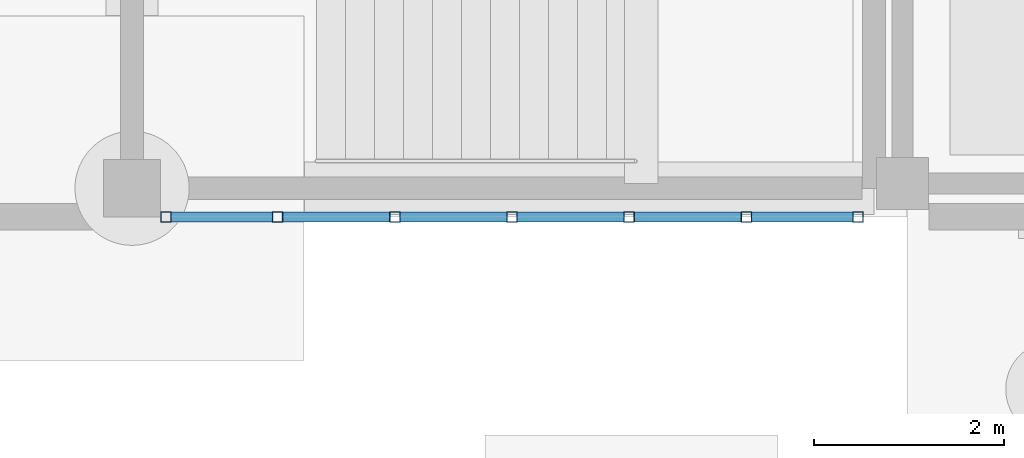
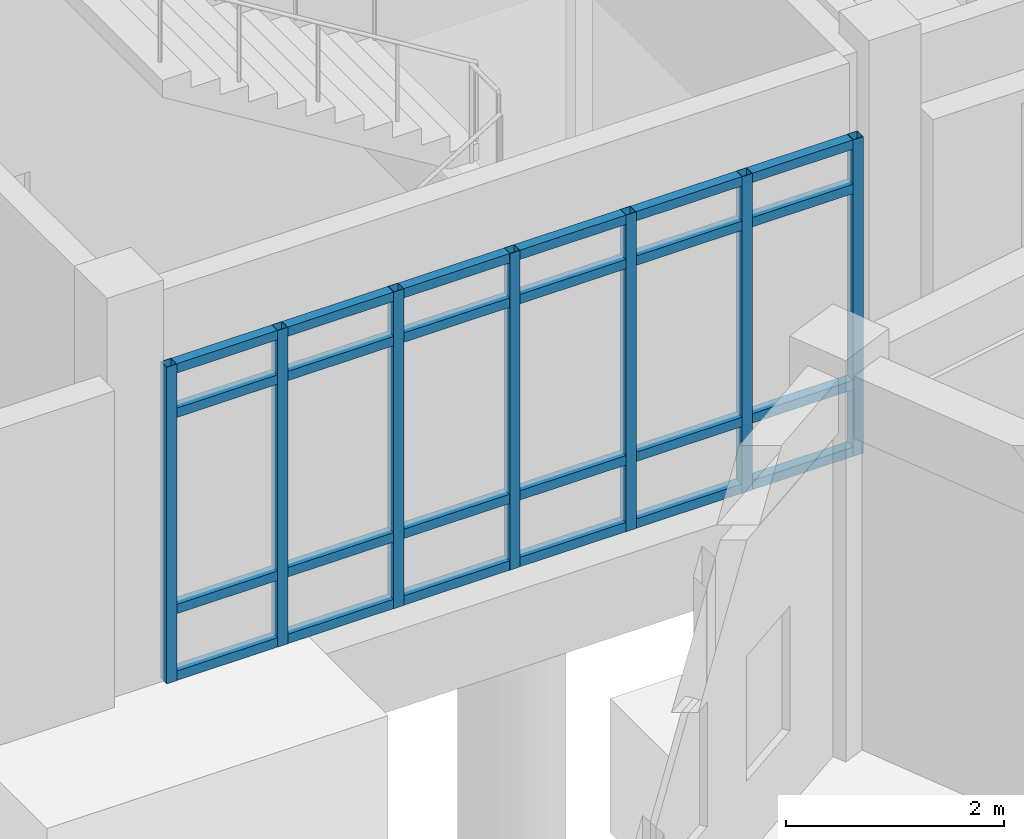
# One storey, part 27 of 153: 31 members, 1 element without a shape of its own.
"""IFC4 building model written with IfcOpenShell, lengths in metres."""

from ifc_helpers import new_model, si_unit, direction, frame, origin, origin_2d, place, context, subcontext, project, spatial, hollow_rectangle, extrude, material, material_profile, profile_set, type_object, element, aggregate, save


model = new_model("IFC4")

# Units and contexts
model_context = context("Model", 3, precision=1e-05, world=origin(), true_north=direction((0.0, 1.0)))
body_context = subcontext(model_context, "Body", "Model", "MODEL_VIEW")
ifc_project = project(units=[si_unit("LENGTHUNIT", "METRE"), si_unit("AREAUNIT", "SQUARE_METRE"), si_unit("VOLUMEUNIT", "CUBIC_METRE"), si_unit("PLANEANGLEUNIT", "RADIAN"), si_unit("MASSUNIT", "GRAM", prefix="KILO")], contexts=[model_context])

# Site, building, storey
site_placement = place(None, origin())
site = spatial("IfcSite", under=ifc_project, at=site_placement, CompositionType="ELEMENT")
building_placement = place(site_placement, origin())
building = spatial("IfcBuilding", under=site, at=building_placement, Name="Celadon Cloister-Ring School", CompositionType="ELEMENT")
storey_placement = place(building_placement, origin())
storey = spatial("IfcBuildingStorey", under=building, at=storey_placement, Name="L00", CompositionType="ELEMENT", Elevation=0.0)

# Curtain wall, members
ifc_material_1 = material(Name="Aluminium EN AW-6063 T6", Category="aluminium")
curtain_wall_type = type_object("IfcCurtainWallType", Name="CW-13", PredefinedType="USERDEFINED", material=ifc_material_1)
curtain_wall_placement = place(storey_placement, origin())
curtain_wall = element("IfcCurtainWall", 1, at=curtain_wall_placement, inside=storey, type_object=curtain_wall_type, Name="Curtain Wall 0194", ObjectType="CURTAIN WALL", PredefinedType="USERDEFINED")
ifc_material_2 = material(Name="Aluminium EN AW-6063 T6", Category="aluminium")
ifc_material_profile_1 = material_profile(ifc_material_2, hollow_rectangle(XDim=0.110107421875, YDim=0.110107421875, WallThickness=0.0048828125, at=origin_2d()), Name="RHS110X110X5")
ifc_profile_set_1 = profile_set([ifc_material_profile_1], Name="Aluminium EN AW-6063 T6")
member_type_1 = type_object("IfcMemberType", Name="CM-01", PredefinedType="MULLION", material=ifc_profile_set_1)
member_1_placement = place(storey_placement, frame((15.885009765625, 40.0, 0.0), z_axis=(0.0, 0.0, 1.0), x_axis=(0.0, -1.0, 0.0)))
member_1 = element("IfcMember", 2, at=member_1_placement, type_object=member_type_1, Name="CW-13 mullion 1", PredefinedType="MULLION", context=body_context, shape_type="SweptSolid", body=[
    extrude(hollow_rectangle(XDim=0.110107421875, YDim=0.110107421875, WallThickness=0.0048828125, at=origin_2d()), origin(), (0.0, 0.0, 1.0), 3.550048828125),
])
member_2_placement = place(storey_placement, frame((14.708251953125, 40.0, 0.0), z_axis=(0.0, 0.0, 1.0), x_axis=(0.0, -1.0, 0.0)))
member_2 = element("IfcMember", 3, at=member_2_placement, type_object=member_type_1, Name="CW-13 mullion 2", PredefinedType="MULLION", context=body_context, shape_type="SweptSolid", body=[
    extrude(hollow_rectangle(XDim=0.110107421875, YDim=0.110107421875, WallThickness=0.0048828125, at=origin_2d()), origin(), (0.0, 0.0, 1.0), 3.550048828125),
])
member_3_placement = place(storey_placement, frame((13.4765625, 40.0, 0.0), z_axis=(0.0, 0.0, 1.0), x_axis=(0.0, -1.0, 0.0)))
member_3 = element("IfcMember", 4, at=member_3_placement, type_object=member_type_1, Name="CW-13 mullion 3", PredefinedType="MULLION", context=body_context, shape_type="SweptSolid", body=[
    extrude(hollow_rectangle(XDim=0.110107421875, YDim=0.110107421875, WallThickness=0.0048828125, at=origin_2d()), origin(), (0.0, 0.0, 1.0), 3.550048828125),
])
member_4_placement = place(storey_placement, frame((12.2451171875, 40.0, 0.0), z_axis=(0.0, 0.0, 1.0), x_axis=(0.0, -1.0, 0.0)))
member_4 = element("IfcMember", 5, at=member_4_placement, type_object=member_type_1, Name="CW-13 mullion 4", PredefinedType="MULLION", context=body_context, shape_type="SweptSolid", body=[
    extrude(hollow_rectangle(XDim=0.110107421875, YDim=0.110107421875, WallThickness=0.0048828125, at=origin_2d()), origin(), (0.0, 0.0, 1.0), 3.550048828125),
])
member_5_placement = place(storey_placement, frame((11.013427734375, 40.0, 0.0), z_axis=(0.0, 0.0, 1.0), x_axis=(0.0, -1.0, 0.0)))
member_5 = element("IfcMember", 6, at=member_5_placement, type_object=member_type_1, Name="CW-13 mullion 5", PredefinedType="MULLION", context=body_context, shape_type="SweptSolid", body=[
    extrude(hollow_rectangle(XDim=0.110107421875, YDim=0.110107421875, WallThickness=0.0048828125, at=origin_2d()), origin(), (0.0, 0.0, 1.0), 3.550048828125),
])
member_6_placement = place(storey_placement, frame((9.78173828125, 40.0, 0.0), z_axis=(0.0, 0.0, 1.0), x_axis=(0.0, -1.0, 0.0)))
member_6 = element("IfcMember", 7, at=member_6_placement, type_object=member_type_1, Name="CW-13 mullion 6", PredefinedType="MULLION", context=body_context, shape_type="SweptSolid", body=[
    extrude(hollow_rectangle(XDim=0.110107421875, YDim=0.110107421875, WallThickness=0.0048828125, at=origin_2d()), origin(), (0.0, 0.0, 1.0), 3.550048828125),
])
member_7_placement = place(storey_placement, frame((8.60498046875, 40.0, 0.0), z_axis=(0.0, 0.0, 1.0), x_axis=(0.0, -1.0, 0.0)))
member_7 = element("IfcMember", 8, at=member_7_placement, type_object=member_type_1, Name="CW-13 mullion 7", PredefinedType="MULLION", context=body_context, shape_type="SweptSolid", body=[
    extrude(hollow_rectangle(XDim=0.110107421875, YDim=0.110107421875, WallThickness=0.0048828125, at=origin_2d()), origin(), (0.0, 0.0, 1.0), 3.550048828125),
])
ifc_material_3 = material(Name="Aluminium EN AW-6063 T6", Category="aluminium")
ifc_material_profile_2 = material_profile(ifc_material_3, hollow_rectangle(XDim=0.10498046875, YDim=0.10498046875, WallThickness=0.0048828125, at=origin_2d()), Name="RHS105X105X5")
ifc_profile_set_2 = profile_set([ifc_material_profile_2], Name="Aluminium EN AW-6063 T6")
member_type_2 = type_object("IfcMemberType", Name="CTM-01", PredefinedType="USERDEFINED", material=ifc_profile_set_2)
member_8_placement = place(storey_placement, frame((15.830078125, 40.0, 0.052490234375), z_axis=(-1.0, 0.0, 0.0), x_axis=(0.0, -1.0, 0.0)))
member_8 = element("IfcMember", 9, at=member_8_placement, type_object=member_type_2, Name="CW-13 transom 1.1", ObjectType="TRANSOM", PredefinedType="USERDEFINED", context=body_context, shape_type="SweptSolid", body=[
    extrude(hollow_rectangle(XDim=0.10498046875, YDim=0.10498046875, WallThickness=0.0048828125, at=origin_2d()), origin(), (0.0, 0.0, 1.0), 1.066650390625),
])
member_9_placement = place(storey_placement, frame((15.830078125, 40.0, 0.800048828125), z_axis=(-1.0, 0.0, 0.0), x_axis=(0.0, -1.0, 0.0)))
member_9 = element("IfcMember", 10, at=member_9_placement, type_object=member_type_2, Name="CW-13 transom 1.2", ObjectType="TRANSOM", PredefinedType="USERDEFINED", context=body_context, shape_type="SweptSolid", body=[
    extrude(hollow_rectangle(XDim=0.10498046875, YDim=0.10498046875, WallThickness=0.0048828125, at=origin_2d()), origin(), (0.0, 0.0, 1.0), 1.066650390625),
])
member_10_placement = place(storey_placement, frame((15.830078125, 40.0, 3.0), z_axis=(-1.0, 0.0, 0.0), x_axis=(0.0, -1.0, 0.0)))
member_10 = element("IfcMember", 11, at=member_10_placement, type_object=member_type_2, Name="CW-13 transom 1.3", ObjectType="TRANSOM", PredefinedType="USERDEFINED", context=body_context, shape_type="SweptSolid", body=[
    extrude(hollow_rectangle(XDim=0.10498046875, YDim=0.10498046875, WallThickness=0.0048828125, at=origin_2d()), origin(), (0.0, 0.0, 1.0), 1.066650390625),
])
member_11_placement = place(storey_placement, frame((15.830078125, 40.0, 3.49755859375), z_axis=(-1.0, 0.0, 0.0), x_axis=(0.0, -1.0, 0.0)))
member_11 = element("IfcMember", 12, at=member_11_placement, type_object=member_type_2, Name="CW-13 transom 1.4", ObjectType="TRANSOM", PredefinedType="USERDEFINED", context=body_context, shape_type="SweptSolid", body=[
    extrude(hollow_rectangle(XDim=0.10498046875, YDim=0.10498046875, WallThickness=0.0048828125, at=origin_2d()), origin(), (0.0, 0.0, 1.0), 1.066650390625),
])
member_12_placement = place(storey_placement, frame((14.6533203125, 40.0, 0.052490234375), z_axis=(-1.0, 0.0, 0.0), x_axis=(0.0, -1.0, 0.0)))
member_12 = element("IfcMember", 13, at=member_12_placement, type_object=member_type_2, Name="CW-13 transom 2.1", ObjectType="TRANSOM", PredefinedType="USERDEFINED", context=body_context, shape_type="SweptSolid", body=[
    extrude(hollow_rectangle(XDim=0.10498046875, YDim=0.10498046875, WallThickness=0.0048828125, at=origin_2d()), origin(), (0.0, 0.0, 1.0), 1.12158203125),
])
member_13_placement = place(storey_placement, frame((14.6533203125, 40.0, 0.800048828125), z_axis=(-1.0, 0.0, 0.0), x_axis=(0.0, -1.0, 0.0)))
member_13 = element("IfcMember", 14, at=member_13_placement, type_object=member_type_2, Name="CW-13 transom 2.2", ObjectType="TRANSOM", PredefinedType="USERDEFINED", context=body_context, shape_type="SweptSolid", body=[
    extrude(hollow_rectangle(XDim=0.10498046875, YDim=0.10498046875, WallThickness=0.0048828125, at=origin_2d()), origin(), (0.0, 0.0, 1.0), 1.12158203125),
])
member_14_placement = place(storey_placement, frame((14.6533203125, 40.0, 3.0), z_axis=(-1.0, 0.0, 0.0), x_axis=(0.0, -1.0, 0.0)))
member_14 = element("IfcMember", 15, at=member_14_placement, type_object=member_type_2, Name="CW-13 transom 2.3", ObjectType="TRANSOM", PredefinedType="USERDEFINED", context=body_context, shape_type="SweptSolid", body=[
    extrude(hollow_rectangle(XDim=0.10498046875, YDim=0.10498046875, WallThickness=0.0048828125, at=origin_2d()), origin(), (0.0, 0.0, 1.0), 1.12158203125),
])
member_15_placement = place(storey_placement, frame((14.6533203125, 40.0, 3.49755859375), z_axis=(-1.0, 0.0, 0.0), x_axis=(0.0, -1.0, 0.0)))
member_15 = element("IfcMember", 16, at=member_15_placement, type_object=member_type_2, Name="CW-13 transom 2.4", ObjectType="TRANSOM", PredefinedType="USERDEFINED", context=body_context, shape_type="SweptSolid", body=[
    extrude(hollow_rectangle(XDim=0.10498046875, YDim=0.10498046875, WallThickness=0.0048828125, at=origin_2d()), origin(), (0.0, 0.0, 1.0), 1.12158203125),
])
member_16_placement = place(storey_placement, frame((13.421630859375, 40.0, 0.052490234375), z_axis=(-1.0, 0.0, 0.0), x_axis=(0.0, -1.0, 0.0)))
member_16 = element("IfcMember", 17, at=member_16_placement, type_object=member_type_2, Name="CW-13 transom 3.1", ObjectType="TRANSOM", PredefinedType="USERDEFINED", context=body_context, shape_type="SweptSolid", body=[
    extrude(hollow_rectangle(XDim=0.10498046875, YDim=0.10498046875, WallThickness=0.0048828125, at=origin_2d()), origin(), (0.0, 0.0, 1.0), 1.12158203125),
])
member_17_placement = place(storey_placement, frame((13.421630859375, 40.0, 0.800048828125), z_axis=(-1.0, 0.0, 0.0), x_axis=(0.0, -1.0, 0.0)))
member_17 = element("IfcMember", 18, at=member_17_placement, type_object=member_type_2, Name="CW-13 transom 3.2", ObjectType="TRANSOM", PredefinedType="USERDEFINED", context=body_context, shape_type="SweptSolid", body=[
    extrude(hollow_rectangle(XDim=0.10498046875, YDim=0.10498046875, WallThickness=0.0048828125, at=origin_2d()), origin(), (0.0, 0.0, 1.0), 1.12158203125),
])
member_18_placement = place(storey_placement, frame((13.421630859375, 40.0, 3.0), z_axis=(-1.0, 0.0, 0.0), x_axis=(0.0, -1.0, 0.0)))
member_18 = element("IfcMember", 19, at=member_18_placement, type_object=member_type_2, Name="CW-13 transom 3.3", ObjectType="TRANSOM", PredefinedType="USERDEFINED", context=body_context, shape_type="SweptSolid", body=[
    extrude(hollow_rectangle(XDim=0.10498046875, YDim=0.10498046875, WallThickness=0.0048828125, at=origin_2d()), origin(), (0.0, 0.0, 1.0), 1.12158203125),
])
member_19_placement = place(storey_placement, frame((13.421630859375, 40.0, 3.49755859375), z_axis=(-1.0, 0.0, 0.0), x_axis=(0.0, -1.0, 0.0)))
member_19 = element("IfcMember", 20, at=member_19_placement, type_object=member_type_2, Name="CW-13 transom 3.4", ObjectType="TRANSOM", PredefinedType="USERDEFINED", context=body_context, shape_type="SweptSolid", body=[
    extrude(hollow_rectangle(XDim=0.10498046875, YDim=0.10498046875, WallThickness=0.0048828125, at=origin_2d()), origin(), (0.0, 0.0, 1.0), 1.12158203125),
])
member_20_placement = place(storey_placement, frame((12.18994140625, 40.0, 0.052490234375), z_axis=(-1.0, 0.0, 0.0), x_axis=(0.0, -1.0, 0.0)))
member_20 = element("IfcMember", 21, at=member_20_placement, type_object=member_type_2, Name="CW-13 transom 4.1", ObjectType="TRANSOM", PredefinedType="USERDEFINED", context=body_context, shape_type="SweptSolid", body=[
    extrude(hollow_rectangle(XDim=0.10498046875, YDim=0.10498046875, WallThickness=0.0048828125, at=origin_2d()), origin(), (0.0, 0.0, 1.0), 1.12158203125),
])
member_21_placement = place(storey_placement, frame((12.18994140625, 40.0, 0.800048828125), z_axis=(-1.0, 0.0, 0.0), x_axis=(0.0, -1.0, 0.0)))
member_21 = element("IfcMember", 22, at=member_21_placement, type_object=member_type_2, Name="CW-13 transom 4.2", ObjectType="TRANSOM", PredefinedType="USERDEFINED", context=body_context, shape_type="SweptSolid", body=[
    extrude(hollow_rectangle(XDim=0.10498046875, YDim=0.10498046875, WallThickness=0.0048828125, at=origin_2d()), origin(), (0.0, 0.0, 1.0), 1.12158203125),
])
member_22_placement = place(storey_placement, frame((12.18994140625, 40.0, 3.0), z_axis=(-1.0, 0.0, 0.0), x_axis=(0.0, -1.0, 0.0)))
member_22 = element("IfcMember", 23, at=member_22_placement, type_object=member_type_2, Name="CW-13 transom 4.3", ObjectType="TRANSOM", PredefinedType="USERDEFINED", context=body_context, shape_type="SweptSolid", body=[
    extrude(hollow_rectangle(XDim=0.10498046875, YDim=0.10498046875, WallThickness=0.0048828125, at=origin_2d()), origin(), (0.0, 0.0, 1.0), 1.12158203125),
])
member_23_placement = place(storey_placement, frame((12.18994140625, 40.0, 3.49755859375), z_axis=(-1.0, 0.0, 0.0), x_axis=(0.0, -1.0, 0.0)))
member_23 = element("IfcMember", 24, at=member_23_placement, type_object=member_type_2, Name="CW-13 transom 4.4", ObjectType="TRANSOM", PredefinedType="USERDEFINED", context=body_context, shape_type="SweptSolid", body=[
    extrude(hollow_rectangle(XDim=0.10498046875, YDim=0.10498046875, WallThickness=0.0048828125, at=origin_2d()), origin(), (0.0, 0.0, 1.0), 1.12158203125),
])
member_24_placement = place(storey_placement, frame((10.958251953125, 40.0, 0.052490234375), z_axis=(-1.0, 0.0, 0.0), x_axis=(0.0, -1.0, 0.0)))
member_24 = element("IfcMember", 25, at=member_24_placement, type_object=member_type_2, Name="CW-13 transom 5.1", ObjectType="TRANSOM", PredefinedType="USERDEFINED", context=body_context, shape_type="SweptSolid", body=[
    extrude(hollow_rectangle(XDim=0.10498046875, YDim=0.10498046875, WallThickness=0.0048828125, at=origin_2d()), origin(), (0.0, 0.0, 1.0), 1.12158203125),
])
member_25_placement = place(storey_placement, frame((10.958251953125, 40.0, 0.800048828125), z_axis=(-1.0, 0.0, 0.0), x_axis=(0.0, -1.0, 0.0)))
member_25 = element("IfcMember", 26, at=member_25_placement, type_object=member_type_2, Name="CW-13 transom 5.2", ObjectType="TRANSOM", PredefinedType="USERDEFINED", context=body_context, shape_type="SweptSolid", body=[
    extrude(hollow_rectangle(XDim=0.10498046875, YDim=0.10498046875, WallThickness=0.0048828125, at=origin_2d()), origin(), (0.0, 0.0, 1.0), 1.12158203125),
])
member_26_placement = place(storey_placement, frame((10.958251953125, 40.0, 3.0), z_axis=(-1.0, 0.0, 0.0), x_axis=(0.0, -1.0, 0.0)))
member_26 = element("IfcMember", 27, at=member_26_placement, type_object=member_type_2, Name="CW-13 transom 5.3", ObjectType="TRANSOM", PredefinedType="USERDEFINED", context=body_context, shape_type="SweptSolid", body=[
    extrude(hollow_rectangle(XDim=0.10498046875, YDim=0.10498046875, WallThickness=0.0048828125, at=origin_2d()), origin(), (0.0, 0.0, 1.0), 1.12158203125),
])
member_27_placement = place(storey_placement, frame((10.958251953125, 40.0, 3.49755859375), z_axis=(-1.0, 0.0, 0.0), x_axis=(0.0, -1.0, 0.0)))
member_27 = element("IfcMember", 28, at=member_27_placement, type_object=member_type_2, Name="CW-13 transom 5.4", ObjectType="TRANSOM", PredefinedType="USERDEFINED", context=body_context, shape_type="SweptSolid", body=[
    extrude(hollow_rectangle(XDim=0.10498046875, YDim=0.10498046875, WallThickness=0.0048828125, at=origin_2d()), origin(), (0.0, 0.0, 1.0), 1.12158203125),
])
member_28_placement = place(storey_placement, frame((9.7265625, 40.0, 0.052490234375), z_axis=(-1.0, 0.0, 0.0), x_axis=(0.0, -1.0, 0.0)))
member_28 = element("IfcMember", 29, at=member_28_placement, type_object=member_type_2, Name="CW-13 transom 6.1", ObjectType="TRANSOM", PredefinedType="USERDEFINED", context=body_context, shape_type="SweptSolid", body=[
    extrude(hollow_rectangle(XDim=0.10498046875, YDim=0.10498046875, WallThickness=0.0048828125, at=origin_2d()), origin(), (0.0, 0.0, 1.0), 1.066650390625),
])
member_29_placement = place(storey_placement, frame((9.7265625, 40.0, 0.800048828125), z_axis=(-1.0, 0.0, 0.0), x_axis=(0.0, -1.0, 0.0)))
member_29 = element("IfcMember", 30, at=member_29_placement, type_object=member_type_2, Name="CW-13 transom 6.2", ObjectType="TRANSOM", PredefinedType="USERDEFINED", context=body_context, shape_type="SweptSolid", body=[
    extrude(hollow_rectangle(XDim=0.10498046875, YDim=0.10498046875, WallThickness=0.0048828125, at=origin_2d()), origin(), (0.0, 0.0, 1.0), 1.066650390625),
])
member_30_placement = place(storey_placement, frame((9.7265625, 40.0, 3.0), z_axis=(-1.0, 0.0, 0.0), x_axis=(0.0, -1.0, 0.0)))
member_30 = element("IfcMember", 31, at=member_30_placement, type_object=member_type_2, Name="CW-13 transom 6.3", ObjectType="TRANSOM", PredefinedType="USERDEFINED", context=body_context, shape_type="SweptSolid", body=[
    extrude(hollow_rectangle(XDim=0.10498046875, YDim=0.10498046875, WallThickness=0.0048828125, at=origin_2d()), origin(), (0.0, 0.0, 1.0), 1.066650390625),
])
member_31_placement = place(storey_placement, frame((9.7265625, 40.0, 3.49755859375), z_axis=(-1.0, 0.0, 0.0), x_axis=(0.0, -1.0, 0.0)))
member_31 = element("IfcMember", 32, at=member_31_placement, type_object=member_type_2, Name="CW-13 transom 6.4", ObjectType="TRANSOM", PredefinedType="USERDEFINED", context=body_context, shape_type="SweptSolid", body=[
    extrude(hollow_rectangle(XDim=0.10498046875, YDim=0.10498046875, WallThickness=0.0048828125, at=origin_2d()), origin(), (0.0, 0.0, 1.0), 1.066650390625),
])
aggregate(curtain_wall, [member_1, member_2, member_3, member_4, member_5, member_6, member_7, member_8, member_9, member_10, member_11, member_12, member_13, member_14, member_15, member_16, member_17, member_18, member_19, member_20, member_21, member_22, member_23, member_24, member_25, member_26, member_27, member_28, member_29, member_30, member_31])

save(model, "model.ifc")
